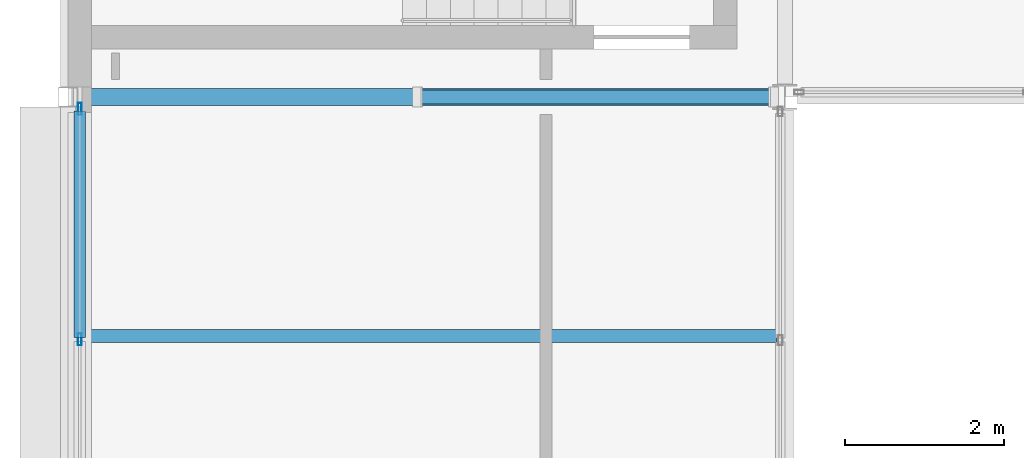
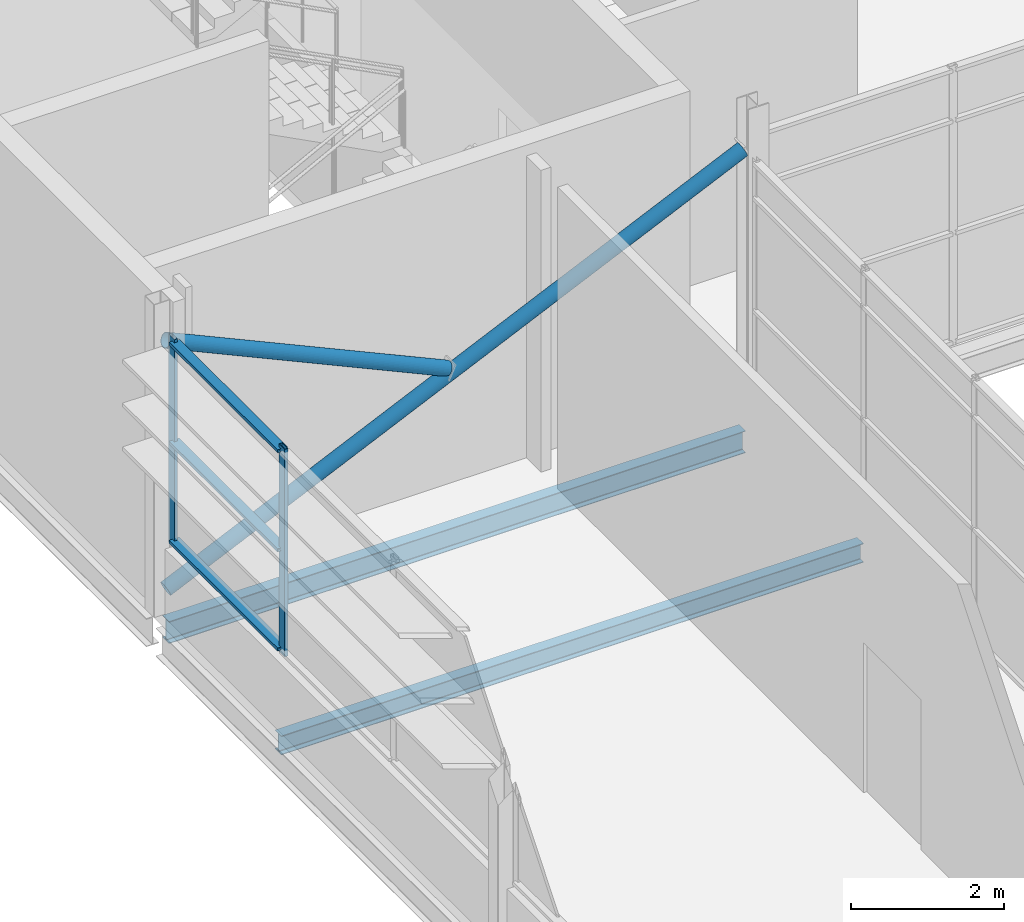
# One storey, part 20 of 61: 7 members, 2 beams, 1 element without a shape of its own.
"""IFC4 building model written with IfcOpenShell, lengths in metres."""

from ifc_helpers import new_model, si_unit, direction, frame, origin, origin_2d, place, context, subcontext, project, spatial, hollow_rectangle, hollow_circle, i_section, extrude, material, layer, layer_set, material_profile, profile_set, type_object, element, aggregate, save


model = new_model("IFC4")

# Units and contexts
model_context = context("Model", 3, precision=1e-05, world=origin(), true_north=direction((0.0, 1.0)))
body_context = subcontext(model_context, "Body", "Model", "MODEL_VIEW")
ifc_project = project(units=[si_unit("LENGTHUNIT", "METRE"), si_unit("AREAUNIT", "SQUARE_METRE"), si_unit("VOLUMEUNIT", "CUBIC_METRE"), si_unit("PLANEANGLEUNIT", "RADIAN"), si_unit("MASSUNIT", "GRAM", prefix="KILO")], contexts=[model_context])

# Site, building, storey
site_placement = place(None, origin())
site = spatial("IfcSite", under=ifc_project, at=site_placement, CompositionType="ELEMENT")
building_placement = place(site_placement, origin())
building = spatial("IfcBuilding", under=site, at=building_placement, Name="Shorebreak Coast Museum", CompositionType="ELEMENT")
storey_placement = place(building_placement, frame((0.0, 0.0, 26.0)))
storey = spatial("IfcBuildingStorey", under=building, at=storey_placement, Name="L04", CompositionType="ELEMENT", Elevation=26.0)

# Beams
ifc_material_1 = material(Name="Steel Grade 300", Category="steel")
ifc_material_profile_1 = material_profile(ifc_material_1, i_section(OverallWidth=0.1708984375, OverallDepth=0.35205078125, WebThickness=0.0068359375, FlangeThickness=0.009765625, FilletRadius=0.011474609375, at=origin_2d()), Name="360UB44.7")
ifc_profile_set_1 = profile_set([ifc_material_profile_1], Name="Steel Grade 300")
beam_type_1 = type_object("IfcBeamType", Name="Floor girder east-west 360UB44.7", PredefinedType="BEAM", material=ifc_profile_set_1)
beam_1_placement = place(storey_placement, frame((54.125, 81.0, -0.35107421875), z_axis=(1.0, 0.0, 0.0), x_axis=(0.0, 1.0, 0.0)))
element("IfcBeam", 1, at=beam_1_placement, inside=storey, type_object=beam_type_1, Name="Floor girder east-west L04 7K", PredefinedType="BEAM", context=body_context, shape_type="SweptSolid", body=[
    extrude(i_section(OverallWidth=0.1708984375, OverallDepth=0.35205078125, WebThickness=0.0068359375, FlangeThickness=0.009765625, FilletRadius=0.011474609375, at=origin_2d()), origin(), (0.0, 0.0, 1.0), 8.720458984375),
])
ifc_material_2 = material(Name="Steel Grade 300", Category="steel")
ifc_material_profile_2 = material_profile(ifc_material_2, i_section(OverallWidth=0.1650390625, OverallDepth=0.303955078125, WebThickness=0.006103515625, FlangeThickness=0.01025390625, FilletRadius=0.011474609375, at=origin_2d()), Name="310UB40.4")
ifc_profile_set_2 = profile_set([ifc_material_profile_2], Name="Steel Grade 300")
beam_type_2 = type_object("IfcBeamType", Name="Floor joist 310UB40.4", PredefinedType="JOIST", material=ifc_profile_set_2)
beam_2_placement = place(storey_placement, frame((54.094970703125, 78.0, -0.326904296875), z_axis=(1.0, 0.0, 0.0), x_axis=(0.0, 1.0, 0.0)))
element("IfcBeam", 2, at=beam_2_placement, inside=storey, type_object=beam_type_2, Name="Floor joist L04 bay 7J at 6000 mm", PredefinedType="JOIST", context=body_context, shape_type="SweptSolid", body=[
    extrude(i_section(OverallWidth=0.1650390625, OverallDepth=0.303955078125, WebThickness=0.006103515625, FlangeThickness=0.01025390625, FilletRadius=0.011474609375, at=origin_2d()), origin(), (0.0, 0.0, 1.0), 8.800537109375),
])

# Curtain wall, members
ifc_material_3 = material(Name="Aluminium", Category="aluminium")
ifc_layer = layer(ifc_material_3, 0.14990234375)
ifc_layer_set = layer_set([ifc_layer], Name="Aluminium")
curtain_wall_type = type_object("IfcCurtainWallType", Name="Storefront curtain wall", PredefinedType="NOTDEFINED", material=ifc_layer_set)
curtain_wall_placement = place(storey_placement, origin())
curtain_wall = element("IfcCurtainWall", 3, at=curtain_wall_placement, inside=storey, type_object=curtain_wall_type, Name="Atrium Hall glazing L04 W 10", PredefinedType="NOTDEFINED")
ifc_material_4 = material(Name="Aluminium", Category="aluminium")
ifc_material_profile_3 = material_profile(ifc_material_4, hollow_rectangle(XDim=0.050048828125, YDim=0.14990234375, WallThickness=0.00390625, at=origin_2d()), Name="AL 150x50 RHS")
ifc_profile_set_3 = profile_set([ifc_material_profile_3], Name="Aluminium")
member_type_1 = type_object("IfcMemberType", Name="Storefront mullion 50 x 150", PredefinedType="MULLION", material=ifc_profile_set_3)
member_1_placement = place(storey_placement, frame((54.14990234375, 77.958251953125, 1.10009765625), z_axis=(0.0, 0.0, 1.0), x_axis=(-1.0, 0.0, 0.0)))
member_1 = element("IfcMember", 4, at=member_1_placement, type_object=member_type_1, Name="CW5 mullion 3", PredefinedType="MULLION", context=body_context, shape_type="SweptSolid", body=[
    extrude(hollow_rectangle(XDim=0.050048828125, YDim=0.14990234375, WallThickness=0.00390625, at=origin_2d()), origin(), (0.0, 0.0, 1.0), 3.318603515625),
])
member_2_placement = place(storey_placement, frame((54.14990234375, 80.85009765625, 1.10009765625), z_axis=(0.0, 0.0, 1.0), x_axis=(-1.0, 0.0, 0.0)))
member_2 = element("IfcMember", 5, at=member_2_placement, type_object=member_type_1, Name="CW5 mullion 4", PredefinedType="MULLION", context=body_context, shape_type="SweptSolid", body=[
    extrude(hollow_rectangle(XDim=0.050048828125, YDim=0.14990234375, WallThickness=0.00390625, at=origin_2d()), origin(), (0.0, 0.0, 1.0), 3.318603515625),
])
ifc_material_5 = material(Name="Aluminium", Category="aluminium")
ifc_material_profile_4 = material_profile(ifc_material_5, hollow_rectangle(XDim=0.14990234375, YDim=0.050048828125, WallThickness=0.00390625, at=origin_2d()), Name="AL 50x150 RHS")
ifc_profile_set_4 = profile_set([ifc_material_profile_4], Name="Aluminium")
member_type_2 = type_object("IfcMemberType", Name="Storefront transom 150 x 50", PredefinedType="USERDEFINED", material=ifc_profile_set_4)
member_3_placement = place(storey_placement, frame((54.14990234375, 77.9833984375, 1.175048828125), z_axis=(0.0, 1.0, 0.0), x_axis=(-1.0, 0.0, 0.0)))
member_3 = element("IfcMember", 6, at=member_3_placement, type_object=member_type_2, Name="CW5 transom 3.1", ObjectType="TRANSOM", PredefinedType="USERDEFINED", context=body_context, shape_type="SweptSolid", body=[
    extrude(hollow_rectangle(XDim=0.14990234375, YDim=0.050048828125, WallThickness=0.00390625, at=origin_2d()), origin(), (0.0, 0.0, 1.0), 2.841552734375),
])
member_4_placement = place(storey_placement, frame((54.14990234375, 77.9833984375, 2.75927734375), z_axis=(0.0, 1.0, 0.0), x_axis=(-1.0, 0.0, 0.0)))
member_4 = element("IfcMember", 7, at=member_4_placement, type_object=member_type_2, Name="CW5 transom 3.2", ObjectType="TRANSOM", PredefinedType="USERDEFINED", context=body_context, shape_type="SweptSolid", body=[
    extrude(hollow_rectangle(XDim=0.14990234375, YDim=0.050048828125, WallThickness=0.00390625, at=origin_2d()), origin(), (0.0, 0.0, 1.0), 2.841552734375),
])
member_5_placement = place(storey_placement, frame((54.14990234375, 77.9833984375, 4.343505859375), z_axis=(0.0, 1.0, 0.0), x_axis=(-1.0, 0.0, 0.0)))
member_5 = element("IfcMember", 8, at=member_5_placement, type_object=member_type_2, Name="CW5 transom 3.3", ObjectType="TRANSOM", PredefinedType="USERDEFINED", context=body_context, shape_type="SweptSolid", body=[
    extrude(hollow_rectangle(XDim=0.14990234375, YDim=0.050048828125, WallThickness=0.00390625, at=origin_2d()), origin(), (0.0, 0.0, 1.0), 2.841552734375),
])
aggregate(curtain_wall, [member_1, member_2, member_3, member_4, member_5])

# Members
ifc_material_6 = material(Name="Steel Grade C350L0", Category="steel")
ifc_material_profile_5 = material_profile(ifc_material_6, hollow_circle(Radius=0.109619140625, WallThickness=0.00830078125, at=origin_2d()), Name="219.1x8.2 CHS")
ifc_profile_set_5 = profile_set([ifc_material_profile_5], Name="Steel Grade C350L0")
member_type_3 = type_object("IfcMemberType", Name="X-brace 219.1x8.2 CHS", PredefinedType="BRACE", material=ifc_profile_set_5)
member_6_placement = place(storey_placement, frame((54.125, 81.0, 0.300048828125), z_axis=(0.909950784, 0.0, 0.414716253235), x_axis=(0.0, 1.0, 0.0)))
element("IfcMember", 9, at=member_6_placement, inside=storey, type_object=member_type_3, Name="X-brace bay 03 L04 diagonal 1", PredefinedType="BRACE", context=body_context, shape_type="SweptSolid", body=[
    extrude(hollow_circle(Radius=0.109619140625, WallThickness=0.00830078125, at=origin_2d()), origin(), (0.0, 0.0, 1.0), 9.58447265625),
])
member_7_placement = place(storey_placement, frame((58.377685546875, 81.0, 2.336669921875), z_axis=(-0.909947385732, 0.0, 0.414723709474), x_axis=(0.0, -1.0, 0.0)))
element("IfcMember", 10, at=member_7_placement, inside=storey, type_object=member_type_3, Name="X-brace bay 03 L04 diagonal 2", PredefinedType="BRACE", context=body_context, shape_type="SweptSolid", body=[
    extrude(hollow_circle(Radius=0.109619140625, WallThickness=0.00830078125, at=origin_2d()), origin(), (0.0, 0.0, 1.0), 4.673583984375),
])

save(model, "model.ifc")
